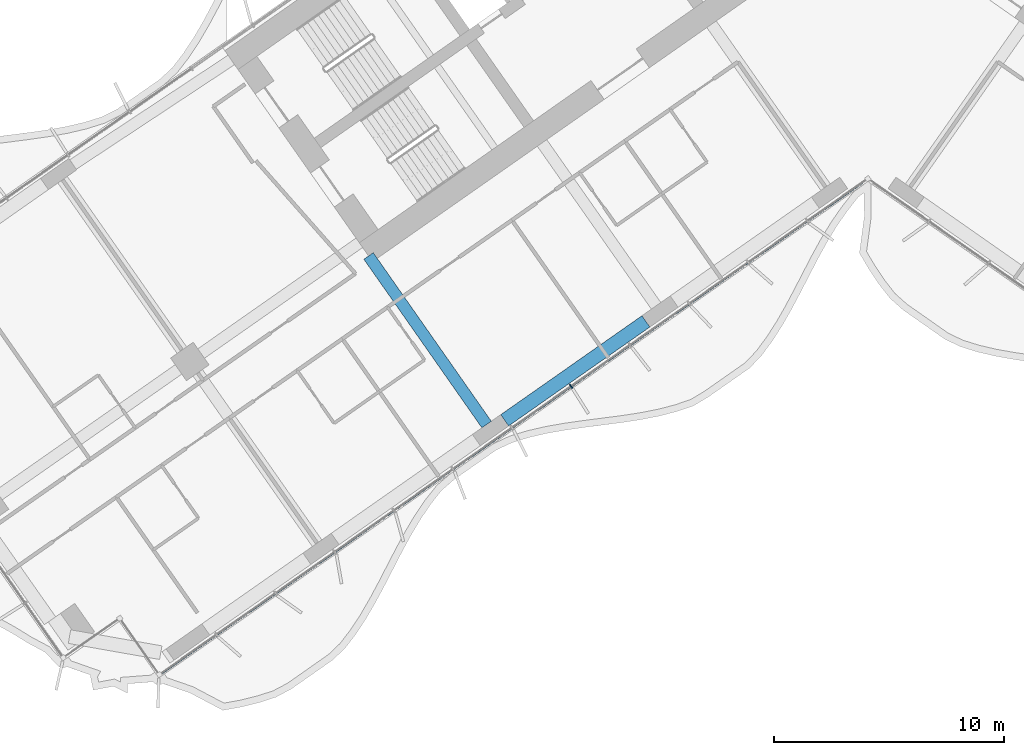
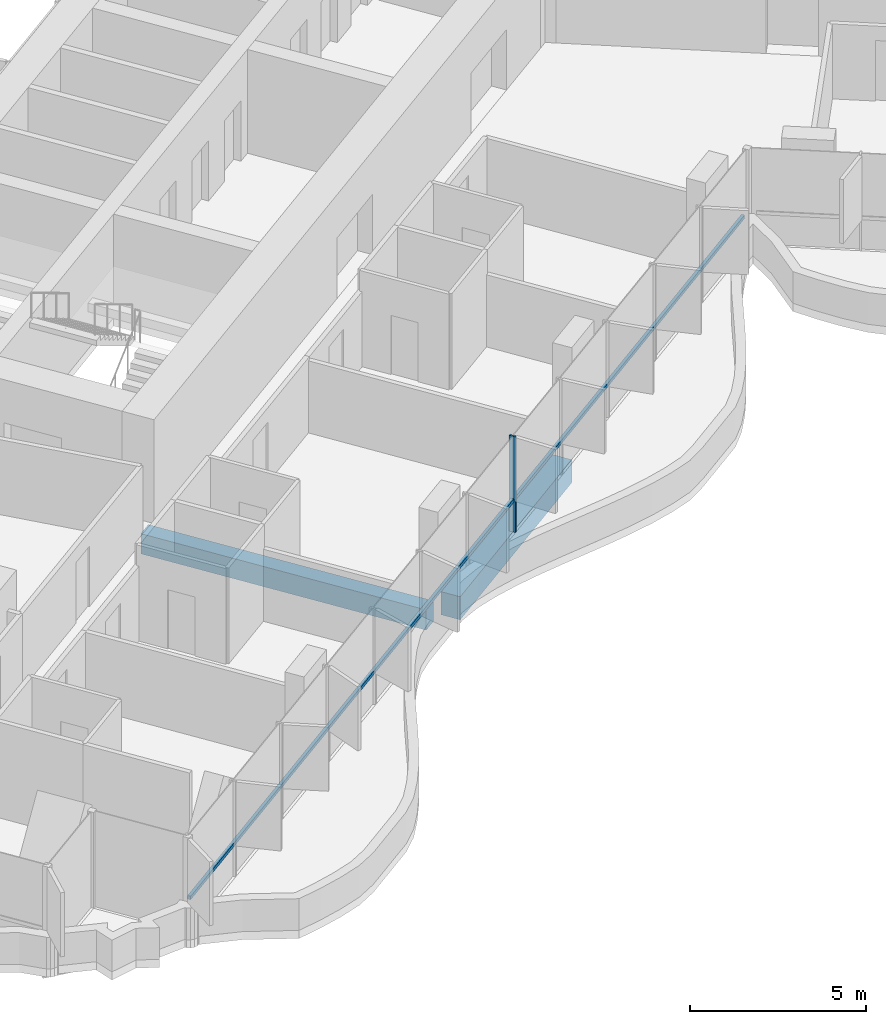
# One storey, part 3 of 23: 2 beams, 2 members, 1 element without a shape of its own.
"""IFC4 building model written with IfcOpenShell, lengths in metres."""

from ifc_helpers import new_model, si_unit, direction, frame, origin, origin_2d, place, context, subcontext, project, spatial, rectangle, extrude, material, material_profile, profile_set, type_object, element, aggregate, save


model = new_model("IFC4")

# Units and contexts
model_context = context("Model", 3, precision=1e-05, world=origin(), true_north=direction((0.0, 1.0)))
body_context = subcontext(model_context, "Body", "Model", "MODEL_VIEW")
ifc_project = project(units=[si_unit("LENGTHUNIT", "METRE"), si_unit("AREAUNIT", "SQUARE_METRE"), si_unit("VOLUMEUNIT", "CUBIC_METRE"), si_unit("PLANEANGLEUNIT", "RADIAN"), si_unit("MASSUNIT", "GRAM", prefix="KILO")], contexts=[model_context])

# Site, building, storey
site_placement = place(None, origin())
site = spatial("IfcSite", under=ifc_project, at=site_placement, CompositionType="ELEMENT")
building_placement = place(site_placement, origin())
building = spatial("IfcBuilding", under=site, at=building_placement, Name="Tel Ilan Convention Tower", CompositionType="ELEMENT")
storey_placement = place(building_placement, frame((0.0, 0.0, 94.10009765625)))
storey = spatial("IfcBuildingStorey", under=building, at=storey_placement, Name="L19", CompositionType="ELEMENT", Elevation=94.10009765625)

# Beams
ifc_material_1 = material(Name="Concrete C40/50", Category="concrete")
ifc_material_profile_1 = material_profile(ifc_material_1, rectangle(XDim=0.5, YDim=0.699951171875, at=origin_2d()), Name="RC 500x700")
ifc_profile_set_1 = profile_set([ifc_material_profile_1], Name="Concrete C40/50")
beam_type_1 = type_object("IfcBeamType", Name="Beam RC 500x700 Concrete C40/50", PredefinedType="BEAM", material=ifc_profile_set_1)
beam_1_placement = place(storey_placement, frame((-16.58203125, -23.391357421875, -0.630126953125), z_axis=(-0.573584999642, 0.819146048141, 0.0), x_axis=(-0.819146048141, -0.573584999642, 0.0)))
element("IfcBeam", 1, at=beam_1_placement, inside=storey, type_object=beam_type_1, Name="L19 beam W-W-F3-core", PredefinedType="BEAM", context=body_context, shape_type="SweptSolid", body=[
    extrude(rectangle(XDim=0.5, YDim=0.699951171875, at=origin_2d()), origin(), (0.0, 0.0, 1.0), 8.949951171875),
])
ifc_material_2 = material(Name="Concrete C40/50", Category="concrete")
ifc_material_profile_2 = material_profile(ifc_material_2, rectangle(XDim=0.60009765625, YDim=0.800048828125, at=origin_2d()), Name="RC 600x800")
ifc_profile_set_2 = profile_set([ifc_material_profile_2], Name="Concrete C40/50")
beam_type_2 = type_object("IfcBeamType", Name="Beam RC 600x800 Concrete C40/50", PredefinedType="BEAM", material=ifc_profile_set_2)
beam_2_placement = place(storey_placement, frame((-9.652099609375, -18.905029296875, -0.68017578125), z_axis=(-0.81915238829, -0.573575945067, 0.0), x_axis=(0.573575945067, -0.81915238829, 0.0)))
element("IfcBeam", 2, at=beam_2_placement, inside=storey, type_object=beam_type_2, Name="L19 beam W-W-F2-W-F3", PredefinedType="BEAM", context=body_context, shape_type="SweptSolid", body=[
    extrude(rectangle(XDim=0.60009765625, YDim=0.800048828125, at=origin_2d()), origin(), (0.0, 0.0, 1.0), 7.5),
])

# Curtain wall, members
ifc_material_3 = material(Name="Aluminium, bronze anodised", Category="aluminium")
curtain_wall_type = type_object("IfcCurtainWallType", Name="CW1 UNITISED CURTAIN WALL, HOTEL TINTED GLASS", PredefinedType="NOTDEFINED", material=ifc_material_3)
curtain_wall_placement = place(storey_placement, origin())
curtain_wall = element("IfcCurtainWall", 3, at=curtain_wall_placement, inside=storey, type_object=curtain_wall_type, Name="Curtain wall CW1-17.02", PredefinedType="NOTDEFINED")
ifc_material_4 = material(Name="Aluminium, bronze anodised", Category="aluminium")
ifc_material_profile_3 = material_profile(ifc_material_4, rectangle(XDim=0.06005859375, YDim=0.199951171875, at=origin_2d()), Name="CW MULLION 60x200")
ifc_profile_set_3 = profile_set([ifc_material_profile_3], Name="Aluminium, bronze anodised")
member_type_1 = type_object("IfcMemberType", Name="CW MULLION 60x200", PredefinedType="MULLION", material=ifc_profile_set_3)
member_1_placement = place(storey_placement, frame((-12.906982421875, -21.733642578125, 0.0), z_axis=(0.0, 0.0, 1.0), x_axis=(0.819152044289, 0.573576436351, 0.0)))
member_1 = element("IfcMember", 4, at=member_1_placement, type_object=member_type_1, Name="Mullion", PredefinedType="MULLION", context=body_context, shape_type="SweptSolid", body=[
    extrude(rectangle(XDim=0.06005859375, YDim=0.199951171875, at=origin_2d()), origin(), (0.0, 0.0, 1.0), 3.31982421875),
])
ifc_material_5 = material(Name="Aluminium, bronze anodised", Category="aluminium")
ifc_material_profile_4 = material_profile(ifc_material_5, rectangle(XDim=0.10009765625, YDim=0.1201171875, at=origin_2d()), Name="CW TRANSOM 100x120")
ifc_profile_set_4 = profile_set([ifc_material_profile_4], Name="Aluminium, bronze anodised")
member_type_2 = type_object("IfcMemberType", Name="CW TRANSOM 100x120", PredefinedType="USERDEFINED", material=ifc_profile_set_4)
member_2_placement = place(storey_placement, frame((-30.73291015625, -34.21533203125, 1.099853515625), z_axis=(0.819152467103, 0.57357583251, 0.0), x_axis=(-0.57357583251, 0.819152467103, 0.0)))
member_2 = element("IfcMember", 5, at=member_2_placement, type_object=member_type_2, Name="Transom", ObjectType="TRANSOM", PredefinedType="USERDEFINED", context=body_context, shape_type="SweptSolid", body=[
    extrude(rectangle(XDim=0.10009765625, YDim=0.1201171875, at=origin_2d()), origin(), (0.0, 0.0, 1.0), 37.247802734375),
])
aggregate(curtain_wall, [member_1, member_2])

save(model, "model.ifc")
